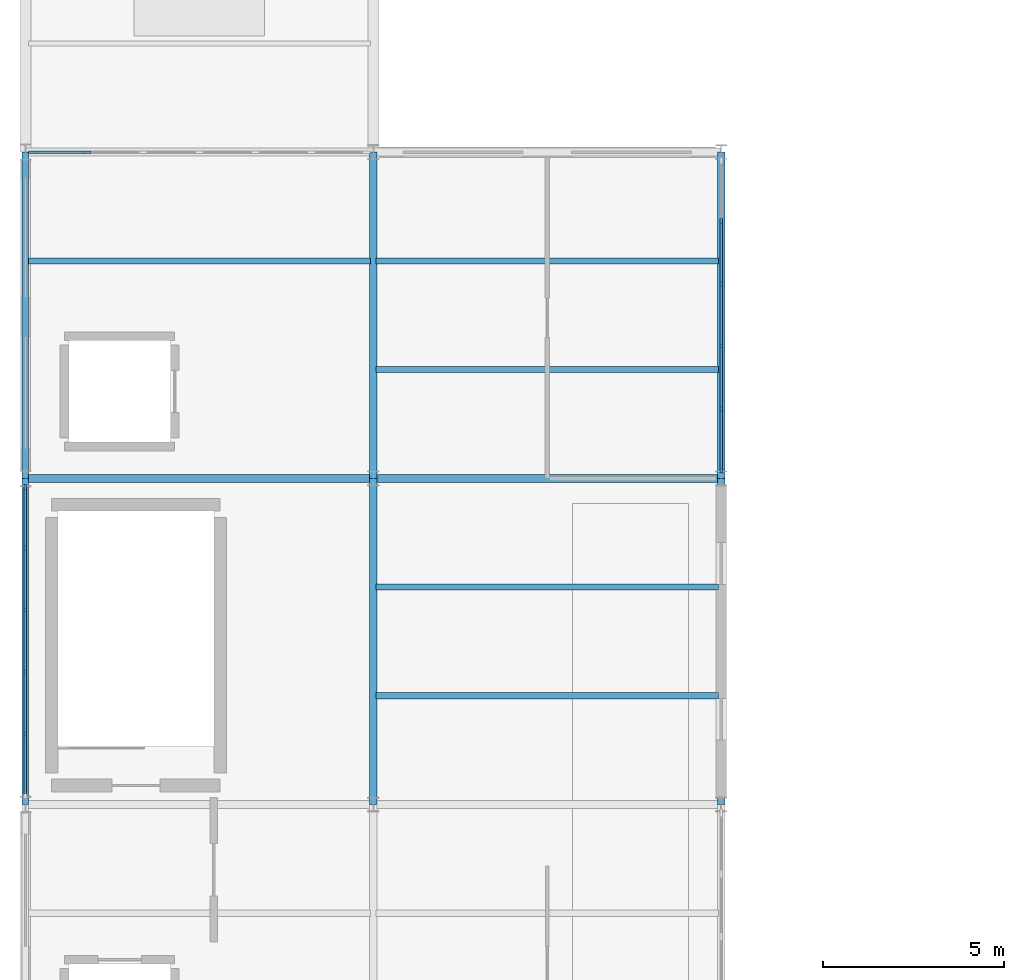
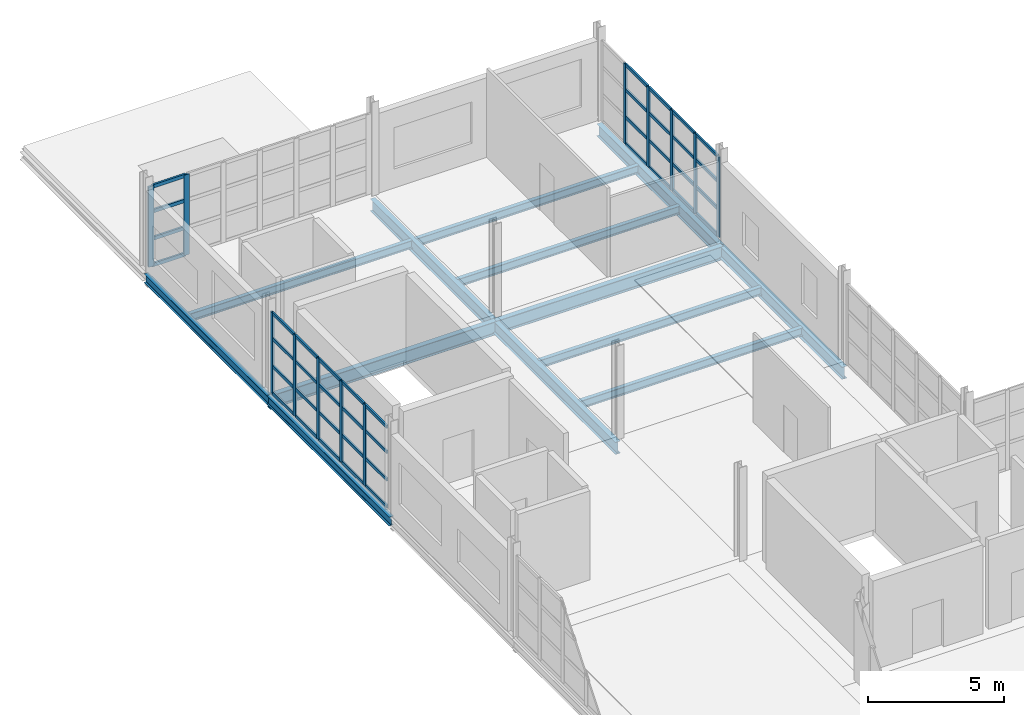
# One storey, part 8 of 15: 52 members, 13 beams, 3 elements without a shape of their own.
"""IFC4 building model written with IfcOpenShell, lengths in metres."""

from ifc_helpers import new_model, si_unit, direction, frame, origin, origin_2d, place, context, subcontext, project, spatial, rectangle, i_section, extrude, material, layer, layer_set, material_profile, profile_set, type_object, element, aggregate, save


model = new_model("IFC4")

# Units and contexts
model_context = context("Model", 3, precision=1e-05, world=origin(), true_north=direction((0.0, 1.0)))
body_context = subcontext(model_context, "Body", "Model", "MODEL_VIEW")
ifc_project = project(units=[si_unit("LENGTHUNIT", "METRE"), si_unit("AREAUNIT", "SQUARE_METRE"), si_unit("VOLUMEUNIT", "CUBIC_METRE"), si_unit("PLANEANGLEUNIT", "RADIAN"), si_unit("MASSUNIT", "GRAM", prefix="KILO")], contexts=[model_context])

# Site, building, storey
site_placement = place(None, origin())
site = spatial("IfcSite", under=ifc_project, at=site_placement, CompositionType="ELEMENT")
building_placement = place(site_placement, origin())
building = spatial("IfcBuilding", under=site, at=building_placement, Name="Zarnetskaya Central Station", CompositionType="ELEMENT")
storey_placement = place(building_placement, frame((0.0, 0.0, 22.800048828125)))
storey = spatial("IfcBuildingStorey", under=building, at=storey_placement, Name="L05", CompositionType="ELEMENT", Elevation=22.800048828125)

# Beams
ifc_material_1 = material(Name="Steel S355", Category="steel")
ifc_material_profile_1 = material_profile(ifc_material_1, i_section(OverallWidth=0.169921875, OverallDepth=0.360107421875, WebThickness=0.008056640625, FlangeThickness=0.0126953125, FilletRadius=0.01806640625, at=origin_2d()), Name="IPE 360")
ifc_profile_set_1 = profile_set([ifc_material_profile_1], Name="Steel S355")
beam_type_1 = type_object("IfcBeamType", Name="BM-SEC-360", PredefinedType="BEAM", material=ifc_profile_set_1)
beam_1_placement = place(storey_placement, frame((0.080078125, 46.199951171875, -0.420166015625), z_axis=(1.0, 0.0, 0.0), x_axis=(0.0, 1.0, 0.0)))
element("IfcBeam", 1, at=beam_1_placement, inside=storey, type_object=beam_type_1, Name="Secondary floor beam SEC-L05-Z2256-AB-67-2", PredefinedType="BEAM", context=body_context, shape_type="SweptSolid", body=[
    extrude(i_section(OverallWidth=0.169921875, OverallDepth=0.360107421875, WebThickness=0.008056640625, FlangeThickness=0.0126953125, FilletRadius=0.01806640625, at=origin_2d()), origin(), (0.0, 0.0, 1.0), 9.43994140625),
])
for number, where, z_axis, x_axis, name in (
    (2, (9.679931640625, 34.199951171875, -0.420166015625), (1.0, 0.0, 0.0), (0.0, 1.0, 0.0), "Secondary floor beam SEC-L05-Z2256-BC-56-1"),
    (3, (9.679931640625, 37.199951171875, -0.420166015625), (1.0, 0.0, 0.0), (0.0, 1.0, 0.0), "Secondary floor beam SEC-L05-Z2256-BC-56-2"),
    (4, (9.679931640625, 43.199951171875, -0.420166015625), (1.0, 0.0, 0.0), (0.0, 1.0, 0.0), "Secondary floor beam SEC-L05-Z2256-BC-67-1"),
    (5, (9.679931640625, 46.199951171875, -0.420166015625), (1.0, 0.0, 0.0), (0.0, 1.0, 0.0), "Secondary floor beam SEC-L05-Z2256-BC-67-2"),
):
    element("IfcBeam", number, at=place(storey_placement, frame(where, z_axis=z_axis, x_axis=x_axis)), inside=storey, type_object=beam_type_1, Name=name, PredefinedType="BEAM", context=body_context, shape_type="SweptSolid", body=[
        extrude(i_section(OverallWidth=0.169921875, OverallDepth=0.360107421875, WebThickness=0.008056640625, FlangeThickness=0.0126953125, FilletRadius=0.01806640625, at=origin_2d()), origin(), (0.0, 0.0, 1.0), 9.440185546875),
    ])
ifc_material_profile_2 = material_profile(ifc_material_1, i_section(OverallWidth=0.179931640625, OverallDepth=0.39990234375, WebThickness=0.008544921875, FlangeThickness=0.013427734375, FilletRadius=0.02099609375, at=origin_2d()), Name="IPE 400")
ifc_profile_set_2 = profile_set([ifc_material_profile_2], Name="Steel S355")
beam_type_2 = type_object("IfcBeamType", Name="BM-SPN-V5", PredefinedType="SPANDREL", material=ifc_profile_set_2)
for number, where, z_axis, x_axis, name in (
    (6, (0.0, 31.199951171875, -0.43994140625), (0.0, 1.0, 0.0), (-1.0, 0.0, 0.0), "Grid girder GY-L05-A-56"),
    (7, (0.0, 40.199951171875, -0.43994140625), (0.0, 1.0, 0.0), (-1.0, 0.0, 0.0), "Grid girder GY-L05-A-67"),
):
    element("IfcBeam", number, at=place(storey_placement, frame(where, z_axis=z_axis, x_axis=x_axis)), inside=storey, type_object=beam_type_2, Name=name, PredefinedType="SPANDREL", context=body_context, shape_type="SweptSolid", body=[
        extrude(i_section(OverallWidth=0.179931640625, OverallDepth=0.39990234375, WebThickness=0.008544921875, FlangeThickness=0.013427734375, FilletRadius=0.02099609375, at=origin_2d()), origin(), (0.0, 0.0, 1.0), 9.0),
    ])

# Curtain wall, members
ifc_material_2 = material(Name="Low-E insulated glass", Category="glass")
ifc_layer_1 = layer(ifc_material_2, 0.159912109375, Name="Low-E insulated glass", Category="glass")
ifc_layer_set_1 = layer_set([ifc_layer_1], Name="Low-E insulated glass")
curtain_wall_type_1 = type_object("IfcCurtainWallType", Name="CW-SYS-11", PredefinedType="USERDEFINED", material=ifc_layer_set_1)
curtain_wall_1_placement = place(storey_placement, origin())
curtain_wall_1 = element("IfcCurtainWall", 8, at=curtain_wall_1_placement, inside=storey, type_object=curtain_wall_type_1, Name="Curtain wall CW-L05-065", ObjectType="CURTAIN WALL", PredefinedType="USERDEFINED")
ifc_material_3 = material(Name="Anodised aluminium", Category="aluminium")
ifc_material_profile_3 = material_profile(ifc_material_3, rectangle(XDim=0.070068359375, YDim=0.179931640625, at=origin_2d()), Name="ALU MULL 70x180")
ifc_profile_set_3 = profile_set([ifc_material_profile_3], Name="Anodised aluminium")
member_type_1 = type_object("IfcMemberType", Name="CW-MULL-180", PredefinedType="MULLION", material=ifc_profile_set_3)
member_1_placement = place(storey_placement, frame((0.0, 33.135009765625, 0.0), z_axis=(0.0, 0.0, 1.0), x_axis=(-1.0, 0.0, 0.0)))
member_1 = element("IfcMember", 9, at=member_1_placement, type_object=member_type_1, Name="CW-09 mullion 2", PredefinedType="MULLION", context=body_context, shape_type="SweptSolid", body=[
    extrude(rectangle(XDim=0.070068359375, YDim=0.179931640625, at=origin_2d()), origin(), (0.0, 0.0, 1.0), 3.639892578125),
])
member_2_placement = place(storey_placement, frame((0.0, 34.844970703125, 0.0), z_axis=(0.0, 0.0, 1.0), x_axis=(-1.0, 0.0, 0.0)))
member_2 = element("IfcMember", 10, at=member_2_placement, type_object=member_type_1, Name="CW-09 mullion 3", PredefinedType="MULLION", context=body_context, shape_type="SweptSolid", body=[
    extrude(rectangle(XDim=0.070068359375, YDim=0.179931640625, at=origin_2d()), origin(), (0.0, 0.0, 1.0), 3.639892578125),
])
member_3_placement = place(storey_placement, frame((0.0, 36.554931640625, 0.0), z_axis=(0.0, 0.0, 1.0), x_axis=(-1.0, 0.0, 0.0)))
member_3 = element("IfcMember", 11, at=member_3_placement, type_object=member_type_1, Name="CW-09 mullion 4", PredefinedType="MULLION", context=body_context, shape_type="SweptSolid", body=[
    extrude(rectangle(XDim=0.070068359375, YDim=0.179931640625, at=origin_2d()), origin(), (0.0, 0.0, 1.0), 3.639892578125),
])
member_4_placement = place(storey_placement, frame((0.0, 38.264892578125, 0.0), z_axis=(0.0, 0.0, 1.0), x_axis=(-1.0, 0.0, 0.0)))
member_4 = element("IfcMember", 12, at=member_4_placement, type_object=member_type_1, Name="CW-09 mullion 5", PredefinedType="MULLION", context=body_context, shape_type="SweptSolid", body=[
    extrude(rectangle(XDim=0.070068359375, YDim=0.179931640625, at=origin_2d()), origin(), (0.0, 0.0, 1.0), 3.639892578125),
])
member_5_placement = place(storey_placement, frame((0.0, 39.93994140625, 0.0), z_axis=(0.0, 0.0, 1.0), x_axis=(-1.0, 0.0, 0.0)))
member_5 = element("IfcMember", 13, at=member_5_placement, type_object=member_type_1, Name="CW-09 mullion 6", PredefinedType="MULLION", context=body_context, shape_type="SweptSolid", body=[
    extrude(rectangle(XDim=0.070068359375, YDim=0.179931640625, at=origin_2d()), origin(), (0.0, 0.0, 1.0), 3.639892578125),
])

ifc_layer_2 = layer(ifc_material_2, 0.1640625, Name="Low-E insulated glass", Category="glass")
ifc_layer_set_2 = layer_set([ifc_layer_2], Name="Low-E insulated glass")
curtain_wall_type_2 = type_object("IfcCurtainWallType", Name="CW-SYS-07", PredefinedType="USERDEFINED", material=ifc_layer_set_2)
curtain_wall_2_placement = place(storey_placement, origin())
curtain_wall_2 = element("IfcCurtainWall", 14, at=curtain_wall_2_placement, inside=storey, type_object=curtain_wall_type_2, Name="Curtain wall CW-L05-067", ObjectType="CURTAIN WALL", PredefinedType="USERDEFINED")
member_6_placement = place(storey_placement, frame((19.199951171875, 47.280029296875, 0.0), z_axis=(0.0, 0.0, 1.0), x_axis=(1.0, 0.0, 0.0)))
member_6 = element("IfcMember", 15, at=member_6_placement, type_object=member_type_1, Name="CW-06 mullion 2", PredefinedType="MULLION", context=body_context, shape_type="SweptSolid", body=[
    extrude(rectangle(XDim=0.070068359375, YDim=0.179931640625, at=origin_2d()), origin(), (0.0, 0.0, 1.0), 3.599853515625),
])
member_7_placement = place(storey_placement, frame((19.199951171875, 45.56005859375, 0.0), z_axis=(0.0, 0.0, 1.0), x_axis=(1.0, 0.0, 0.0)))
member_7 = element("IfcMember", 16, at=member_7_placement, type_object=member_type_1, Name="CW-06 mullion 3", PredefinedType="MULLION", context=body_context, shape_type="SweptSolid", body=[
    extrude(rectangle(XDim=0.070068359375, YDim=0.179931640625, at=origin_2d()), origin(), (0.0, 0.0, 1.0), 3.599853515625),
])
member_8_placement = place(storey_placement, frame((19.199951171875, 43.840087890625, 0.0), z_axis=(0.0, 0.0, 1.0), x_axis=(1.0, 0.0, 0.0)))
member_8 = element("IfcMember", 17, at=member_8_placement, type_object=member_type_1, Name="CW-06 mullion 4", PredefinedType="MULLION", context=body_context, shape_type="SweptSolid", body=[
    extrude(rectangle(XDim=0.070068359375, YDim=0.179931640625, at=origin_2d()), origin(), (0.0, 0.0, 1.0), 3.599853515625),
])
member_9_placement = place(storey_placement, frame((19.199951171875, 42.1201171875, 0.0), z_axis=(0.0, 0.0, 1.0), x_axis=(1.0, 0.0, 0.0)))
member_9 = element("IfcMember", 18, at=member_9_placement, type_object=member_type_1, Name="CW-06 mullion 5", PredefinedType="MULLION", context=body_context, shape_type="SweptSolid", body=[
    extrude(rectangle(XDim=0.070068359375, YDim=0.179931640625, at=origin_2d()), origin(), (0.0, 0.0, 1.0), 3.599853515625),
])
member_10_placement = place(storey_placement, frame((19.199951171875, 40.43505859375, 0.0), z_axis=(0.0, 0.0, 1.0), x_axis=(1.0, 0.0, 0.0)))
member_10 = element("IfcMember", 19, at=member_10_placement, type_object=member_type_1, Name="CW-06 mullion 6", PredefinedType="MULLION", context=body_context, shape_type="SweptSolid", body=[
    extrude(rectangle(XDim=0.070068359375, YDim=0.179931640625, at=origin_2d()), origin(), (0.0, 0.0, 1.0), 3.599853515625),
])

curtain_wall_3_placement = place(storey_placement, origin())
curtain_wall_3 = element("IfcCurtainWall", 20, at=curtain_wall_3_placement, inside=storey, type_object=curtain_wall_type_2, Name="Curtain wall CW-L05-066", ObjectType="CURTAIN WALL", PredefinedType="USERDEFINED")
ifc_material_profile_4 = material_profile(ifc_material_3, rectangle(XDim=0.080078125, YDim=0.219970703125, at=origin_2d()), Name="ALU MULL 80x220")
ifc_profile_set_4 = profile_set([ifc_material_profile_4], Name="Anodised aluminium")
member_type_2 = type_object("IfcMemberType", Name="CW-MULL-220", PredefinedType="MULLION", material=ifc_profile_set_4)
member_11_placement = place(storey_placement, frame((0.18994140625, 49.199951171875, 0.0), z_axis=(0.0, 0.0, 1.0), x_axis=(0.0, 1.0, 0.0)))
member_11 = element("IfcMember", 21, at=member_11_placement, type_object=member_type_2, Name="CW-06 mullion 1", PredefinedType="MULLION", context=body_context, shape_type="SweptSolid", body=[
    extrude(rectangle(XDim=0.080078125, YDim=0.219970703125, at=origin_2d()), origin(), (0.0, 0.0, 1.0), 3.599853515625),
])
member_12_placement = place(storey_placement, frame((1.699951171875, 49.199951171875, 0.0), z_axis=(0.0, 0.0, 1.0), x_axis=(0.0, 1.0, 0.0)))
member_12 = element("IfcMember", 22, at=member_12_placement, type_object=member_type_2, Name="CW-06 mullion 2", PredefinedType="MULLION", context=body_context, shape_type="SweptSolid", body=[
    extrude(rectangle(XDim=0.080078125, YDim=0.219970703125, at=origin_2d()), origin(), (0.0, 0.0, 1.0), 3.599853515625),
])

# Member
ifc_material_profile_5 = material_profile(ifc_material_3, rectangle(XDim=0.070068359375, YDim=0.139892578125, at=origin_2d()), Name="ALU TRAN 70x140")
ifc_profile_set_5 = profile_set([ifc_material_profile_5], Name="Anodised aluminium")
member_type_3 = type_object("IfcMemberType", Name="CW-TRAN-140", PredefinedType="USERDEFINED", material=ifc_profile_set_5)
member_13_placement = place(storey_placement, frame((0.0, 31.4951171875, 0.034912109375), z_axis=(0.0, 1.0, 0.0), x_axis=(-1.0, 0.0, 0.0)))
member_13 = element("IfcMember", 23, at=member_13_placement, type_object=member_type_3, Name="CW-09 transom 1.1", ObjectType="TRANSOM", PredefinedType="USERDEFINED", context=body_context, shape_type="SweptSolid", body=[
    extrude(rectangle(XDim=0.070068359375, YDim=0.139892578125, at=origin_2d()), origin(), (0.0, 0.0, 1.0), 1.60498046875),
])

member_14_placement = place(storey_placement, frame((0.0, 31.4951171875, 1.238037109375), z_axis=(0.0, 1.0, 0.0), x_axis=(-1.0, 0.0, 0.0)))
member_14 = element("IfcMember", 24, at=member_14_placement, type_object=member_type_3, Name="CW-09 transom 1.2", ObjectType="TRANSOM", PredefinedType="USERDEFINED", context=body_context, shape_type="SweptSolid", body=[
    extrude(rectangle(XDim=0.070068359375, YDim=0.139892578125, at=origin_2d()), origin(), (0.0, 0.0, 1.0), 1.60498046875),
])

member_15_placement = place(storey_placement, frame((0.0, 31.4951171875, 2.474853515625), z_axis=(0.0, 1.0, 0.0), x_axis=(-1.0, 0.0, 0.0)))
member_15 = element("IfcMember", 25, at=member_15_placement, type_object=member_type_3, Name="CW-09 transom 1.3", ObjectType="TRANSOM", PredefinedType="USERDEFINED", context=body_context, shape_type="SweptSolid", body=[
    extrude(rectangle(XDim=0.070068359375, YDim=0.139892578125, at=origin_2d()), origin(), (0.0, 0.0, 1.0), 1.60498046875),
])

member_16_placement = place(storey_placement, frame((0.0, 31.4951171875, 3.60498046875), z_axis=(0.0, 1.0, 0.0), x_axis=(-1.0, 0.0, 0.0)))
member_16 = element("IfcMember", 26, at=member_16_placement, type_object=member_type_3, Name="CW-09 transom 1.4", ObjectType="TRANSOM", PredefinedType="USERDEFINED", context=body_context, shape_type="SweptSolid", body=[
    extrude(rectangle(XDim=0.070068359375, YDim=0.139892578125, at=origin_2d()), origin(), (0.0, 0.0, 1.0), 1.60498046875),
])

member_17_placement = place(storey_placement, frame((0.0, 33.169921875, 0.034912109375), z_axis=(0.0, 1.0, 0.0), x_axis=(-1.0, 0.0, 0.0)))
member_17 = element("IfcMember", 27, at=member_17_placement, type_object=member_type_3, Name="CW-09 transom 2.1", ObjectType="TRANSOM", PredefinedType="USERDEFINED", context=body_context, shape_type="SweptSolid", body=[
    extrude(rectangle(XDim=0.070068359375, YDim=0.139892578125, at=origin_2d()), origin(), (0.0, 0.0, 1.0), 1.64013671875),
])

member_18_placement = place(storey_placement, frame((0.0, 33.169921875, 1.238037109375), z_axis=(0.0, 1.0, 0.0), x_axis=(-1.0, 0.0, 0.0)))
member_18 = element("IfcMember", 28, at=member_18_placement, type_object=member_type_3, Name="CW-09 transom 2.2", ObjectType="TRANSOM", PredefinedType="USERDEFINED", context=body_context, shape_type="SweptSolid", body=[
    extrude(rectangle(XDim=0.070068359375, YDim=0.139892578125, at=origin_2d()), origin(), (0.0, 0.0, 1.0), 1.64013671875),
])

member_19_placement = place(storey_placement, frame((0.0, 33.169921875, 2.474853515625), z_axis=(0.0, 1.0, 0.0), x_axis=(-1.0, 0.0, 0.0)))
member_19 = element("IfcMember", 29, at=member_19_placement, type_object=member_type_3, Name="CW-09 transom 2.3", ObjectType="TRANSOM", PredefinedType="USERDEFINED", context=body_context, shape_type="SweptSolid", body=[
    extrude(rectangle(XDim=0.070068359375, YDim=0.139892578125, at=origin_2d()), origin(), (0.0, 0.0, 1.0), 1.64013671875),
])

member_20_placement = place(storey_placement, frame((0.0, 33.169921875, 3.60498046875), z_axis=(0.0, 1.0, 0.0), x_axis=(-1.0, 0.0, 0.0)))
member_20 = element("IfcMember", 30, at=member_20_placement, type_object=member_type_3, Name="CW-09 transom 2.4", ObjectType="TRANSOM", PredefinedType="USERDEFINED", context=body_context, shape_type="SweptSolid", body=[
    extrude(rectangle(XDim=0.070068359375, YDim=0.139892578125, at=origin_2d()), origin(), (0.0, 0.0, 1.0), 1.64013671875),
])

member_21_placement = place(storey_placement, frame((0.0, 34.8798828125, 0.034912109375), z_axis=(0.0, 1.0, 0.0), x_axis=(-1.0, 0.0, 0.0)))
member_21 = element("IfcMember", 31, at=member_21_placement, type_object=member_type_3, Name="CW-09 transom 3.1", ObjectType="TRANSOM", PredefinedType="USERDEFINED", context=body_context, shape_type="SweptSolid", body=[
    extrude(rectangle(XDim=0.070068359375, YDim=0.139892578125, at=origin_2d()), origin(), (0.0, 0.0, 1.0), 1.64013671875),
])

member_22_placement = place(storey_placement, frame((0.0, 34.8798828125, 1.238037109375), z_axis=(0.0, 1.0, 0.0), x_axis=(-1.0, 0.0, 0.0)))
member_22 = element("IfcMember", 32, at=member_22_placement, type_object=member_type_3, Name="CW-09 transom 3.2", ObjectType="TRANSOM", PredefinedType="USERDEFINED", context=body_context, shape_type="SweptSolid", body=[
    extrude(rectangle(XDim=0.070068359375, YDim=0.139892578125, at=origin_2d()), origin(), (0.0, 0.0, 1.0), 1.64013671875),
])

member_23_placement = place(storey_placement, frame((0.0, 34.8798828125, 2.474853515625), z_axis=(0.0, 1.0, 0.0), x_axis=(-1.0, 0.0, 0.0)))
member_23 = element("IfcMember", 33, at=member_23_placement, type_object=member_type_3, Name="CW-09 transom 3.3", ObjectType="TRANSOM", PredefinedType="USERDEFINED", context=body_context, shape_type="SweptSolid", body=[
    extrude(rectangle(XDim=0.070068359375, YDim=0.139892578125, at=origin_2d()), origin(), (0.0, 0.0, 1.0), 1.64013671875),
])

member_24_placement = place(storey_placement, frame((0.0, 34.8798828125, 3.60498046875), z_axis=(0.0, 1.0, 0.0), x_axis=(-1.0, 0.0, 0.0)))
member_24 = element("IfcMember", 34, at=member_24_placement, type_object=member_type_3, Name="CW-09 transom 3.4", ObjectType="TRANSOM", PredefinedType="USERDEFINED", context=body_context, shape_type="SweptSolid", body=[
    extrude(rectangle(XDim=0.070068359375, YDim=0.139892578125, at=origin_2d()), origin(), (0.0, 0.0, 1.0), 1.64013671875),
])

member_25_placement = place(storey_placement, frame((0.0, 36.590087890625, 0.034912109375), z_axis=(0.0, 1.0, 0.0), x_axis=(-1.0, 0.0, 0.0)))
member_25 = element("IfcMember", 35, at=member_25_placement, type_object=member_type_3, Name="CW-09 transom 4.1", ObjectType="TRANSOM", PredefinedType="USERDEFINED", context=body_context, shape_type="SweptSolid", body=[
    extrude(rectangle(XDim=0.070068359375, YDim=0.139892578125, at=origin_2d()), origin(), (0.0, 0.0, 1.0), 1.639892578125),
])

member_26_placement = place(storey_placement, frame((0.0, 36.590087890625, 1.238037109375), z_axis=(0.0, 1.0, 0.0), x_axis=(-1.0, 0.0, 0.0)))
member_26 = element("IfcMember", 36, at=member_26_placement, type_object=member_type_3, Name="CW-09 transom 4.2", ObjectType="TRANSOM", PredefinedType="USERDEFINED", context=body_context, shape_type="SweptSolid", body=[
    extrude(rectangle(XDim=0.070068359375, YDim=0.139892578125, at=origin_2d()), origin(), (0.0, 0.0, 1.0), 1.639892578125),
])

member_27_placement = place(storey_placement, frame((0.0, 36.590087890625, 2.474853515625), z_axis=(0.0, 1.0, 0.0), x_axis=(-1.0, 0.0, 0.0)))
member_27 = element("IfcMember", 37, at=member_27_placement, type_object=member_type_3, Name="CW-09 transom 4.3", ObjectType="TRANSOM", PredefinedType="USERDEFINED", context=body_context, shape_type="SweptSolid", body=[
    extrude(rectangle(XDim=0.070068359375, YDim=0.139892578125, at=origin_2d()), origin(), (0.0, 0.0, 1.0), 1.639892578125),
])

member_28_placement = place(storey_placement, frame((0.0, 36.590087890625, 3.60498046875), z_axis=(0.0, 1.0, 0.0), x_axis=(-1.0, 0.0, 0.0)))
member_28 = element("IfcMember", 38, at=member_28_placement, type_object=member_type_3, Name="CW-09 transom 4.4", ObjectType="TRANSOM", PredefinedType="USERDEFINED", context=body_context, shape_type="SweptSolid", body=[
    extrude(rectangle(XDim=0.070068359375, YDim=0.139892578125, at=origin_2d()), origin(), (0.0, 0.0, 1.0), 1.639892578125),
])

member_29_placement = place(storey_placement, frame((0.0, 38.300048828125, 0.034912109375), z_axis=(0.0, 1.0, 0.0), x_axis=(-1.0, 0.0, 0.0)))
member_29 = element("IfcMember", 39, at=member_29_placement, type_object=member_type_3, Name="CW-09 transom 5.1", ObjectType="TRANSOM", PredefinedType="USERDEFINED", context=body_context, shape_type="SweptSolid", body=[
    extrude(rectangle(XDim=0.070068359375, YDim=0.139892578125, at=origin_2d()), origin(), (0.0, 0.0, 1.0), 1.60498046875),
])

member_30_placement = place(storey_placement, frame((0.0, 38.300048828125, 1.238037109375), z_axis=(0.0, 1.0, 0.0), x_axis=(-1.0, 0.0, 0.0)))
member_30 = element("IfcMember", 40, at=member_30_placement, type_object=member_type_3, Name="CW-09 transom 5.2", ObjectType="TRANSOM", PredefinedType="USERDEFINED", context=body_context, shape_type="SweptSolid", body=[
    extrude(rectangle(XDim=0.070068359375, YDim=0.139892578125, at=origin_2d()), origin(), (0.0, 0.0, 1.0), 1.60498046875),
])

member_31_placement = place(storey_placement, frame((0.0, 38.300048828125, 2.474853515625), z_axis=(0.0, 1.0, 0.0), x_axis=(-1.0, 0.0, 0.0)))
member_31 = element("IfcMember", 41, at=member_31_placement, type_object=member_type_3, Name="CW-09 transom 5.3", ObjectType="TRANSOM", PredefinedType="USERDEFINED", context=body_context, shape_type="SweptSolid", body=[
    extrude(rectangle(XDim=0.070068359375, YDim=0.139892578125, at=origin_2d()), origin(), (0.0, 0.0, 1.0), 1.60498046875),
])

member_32_placement = place(storey_placement, frame((0.0, 38.300048828125, 3.60498046875), z_axis=(0.0, 1.0, 0.0), x_axis=(-1.0, 0.0, 0.0)))
member_32 = element("IfcMember", 42, at=member_32_placement, type_object=member_type_3, Name="CW-09 transom 5.4", ObjectType="TRANSOM", PredefinedType="USERDEFINED", context=body_context, shape_type="SweptSolid", body=[
    extrude(rectangle(XDim=0.070068359375, YDim=0.139892578125, at=origin_2d()), origin(), (0.0, 0.0, 1.0), 1.60498046875),
])

aggregate(curtain_wall_1, [member_1, member_2, member_3, member_4, member_5, member_13, member_14, member_15, member_16, member_17, member_18, member_19, member_20, member_21, member_22, member_23, member_24, member_25, member_26, member_27, member_28, member_29, member_30, member_31, member_32])

member_33_placement = place(storey_placement, frame((19.199951171875, 47.2451171875, 0.034912109375), z_axis=(0.0, -1.0, 0.0), x_axis=(1.0, 0.0, 0.0)))
member_33 = element("IfcMember", 43, at=member_33_placement, type_object=member_type_3, Name="CW-06 transom 2.1", ObjectType="TRANSOM", PredefinedType="USERDEFINED", context=body_context, shape_type="SweptSolid", body=[
    extrude(rectangle(XDim=0.070068359375, YDim=0.139892578125, at=origin_2d()), origin(), (0.0, 0.0, 1.0), 1.650146484375),
])

member_34_placement = place(storey_placement, frame((19.199951171875, 47.2451171875, 1.223876953125), z_axis=(0.0, -1.0, 0.0), x_axis=(1.0, 0.0, 0.0)))
member_34 = element("IfcMember", 44, at=member_34_placement, type_object=member_type_3, Name="CW-06 transom 2.2", ObjectType="TRANSOM", PredefinedType="USERDEFINED", context=body_context, shape_type="SweptSolid", body=[
    extrude(rectangle(XDim=0.070068359375, YDim=0.139892578125, at=origin_2d()), origin(), (0.0, 0.0, 1.0), 1.650146484375),
])

member_35_placement = place(storey_placement, frame((19.199951171875, 47.2451171875, 2.447998046875), z_axis=(0.0, -1.0, 0.0), x_axis=(1.0, 0.0, 0.0)))
member_35 = element("IfcMember", 45, at=member_35_placement, type_object=member_type_3, Name="CW-06 transom 2.3", ObjectType="TRANSOM", PredefinedType="USERDEFINED", context=body_context, shape_type="SweptSolid", body=[
    extrude(rectangle(XDim=0.070068359375, YDim=0.139892578125, at=origin_2d()), origin(), (0.0, 0.0, 1.0), 1.650146484375),
])

member_36_placement = place(storey_placement, frame((19.199951171875, 47.2451171875, 3.56494140625), z_axis=(0.0, -1.0, 0.0), x_axis=(1.0, 0.0, 0.0)))
member_36 = element("IfcMember", 46, at=member_36_placement, type_object=member_type_3, Name="CW-06 transom 2.4", ObjectType="TRANSOM", PredefinedType="USERDEFINED", context=body_context, shape_type="SweptSolid", body=[
    extrude(rectangle(XDim=0.070068359375, YDim=0.139892578125, at=origin_2d()), origin(), (0.0, 0.0, 1.0), 1.650146484375),
])

member_37_placement = place(storey_placement, frame((19.199951171875, 45.52490234375, 0.034912109375), z_axis=(0.0, -1.0, 0.0), x_axis=(1.0, 0.0, 0.0)))
member_37 = element("IfcMember", 47, at=member_37_placement, type_object=member_type_3, Name="CW-06 transom 3.1", ObjectType="TRANSOM", PredefinedType="USERDEFINED", context=body_context, shape_type="SweptSolid", body=[
    extrude(rectangle(XDim=0.070068359375, YDim=0.139892578125, at=origin_2d()), origin(), (0.0, 0.0, 1.0), 1.64990234375),
])

member_38_placement = place(storey_placement, frame((19.199951171875, 45.52490234375, 1.223876953125), z_axis=(0.0, -1.0, 0.0), x_axis=(1.0, 0.0, 0.0)))
member_38 = element("IfcMember", 48, at=member_38_placement, type_object=member_type_3, Name="CW-06 transom 3.2", ObjectType="TRANSOM", PredefinedType="USERDEFINED", context=body_context, shape_type="SweptSolid", body=[
    extrude(rectangle(XDim=0.070068359375, YDim=0.139892578125, at=origin_2d()), origin(), (0.0, 0.0, 1.0), 1.64990234375),
])

member_39_placement = place(storey_placement, frame((19.199951171875, 45.52490234375, 2.447998046875), z_axis=(0.0, -1.0, 0.0), x_axis=(1.0, 0.0, 0.0)))
member_39 = element("IfcMember", 49, at=member_39_placement, type_object=member_type_3, Name="CW-06 transom 3.3", ObjectType="TRANSOM", PredefinedType="USERDEFINED", context=body_context, shape_type="SweptSolid", body=[
    extrude(rectangle(XDim=0.070068359375, YDim=0.139892578125, at=origin_2d()), origin(), (0.0, 0.0, 1.0), 1.64990234375),
])

member_40_placement = place(storey_placement, frame((19.199951171875, 45.52490234375, 3.56494140625), z_axis=(0.0, -1.0, 0.0), x_axis=(1.0, 0.0, 0.0)))
member_40 = element("IfcMember", 50, at=member_40_placement, type_object=member_type_3, Name="CW-06 transom 3.4", ObjectType="TRANSOM", PredefinedType="USERDEFINED", context=body_context, shape_type="SweptSolid", body=[
    extrude(rectangle(XDim=0.070068359375, YDim=0.139892578125, at=origin_2d()), origin(), (0.0, 0.0, 1.0), 1.64990234375),
])

member_41_placement = place(storey_placement, frame((19.199951171875, 43.804931640625, 0.034912109375), z_axis=(0.0, -1.0, 0.0), x_axis=(1.0, 0.0, 0.0)))
member_41 = element("IfcMember", 51, at=member_41_placement, type_object=member_type_3, Name="CW-06 transom 4.1", ObjectType="TRANSOM", PredefinedType="USERDEFINED", context=body_context, shape_type="SweptSolid", body=[
    extrude(rectangle(XDim=0.070068359375, YDim=0.139892578125, at=origin_2d()), origin(), (0.0, 0.0, 1.0), 1.64990234375),
])

member_42_placement = place(storey_placement, frame((19.199951171875, 43.804931640625, 1.223876953125), z_axis=(0.0, -1.0, 0.0), x_axis=(1.0, 0.0, 0.0)))
member_42 = element("IfcMember", 52, at=member_42_placement, type_object=member_type_3, Name="CW-06 transom 4.2", ObjectType="TRANSOM", PredefinedType="USERDEFINED", context=body_context, shape_type="SweptSolid", body=[
    extrude(rectangle(XDim=0.070068359375, YDim=0.139892578125, at=origin_2d()), origin(), (0.0, 0.0, 1.0), 1.64990234375),
])

member_43_placement = place(storey_placement, frame((19.199951171875, 43.804931640625, 2.447998046875), z_axis=(0.0, -1.0, 0.0), x_axis=(1.0, 0.0, 0.0)))
member_43 = element("IfcMember", 53, at=member_43_placement, type_object=member_type_3, Name="CW-06 transom 4.3", ObjectType="TRANSOM", PredefinedType="USERDEFINED", context=body_context, shape_type="SweptSolid", body=[
    extrude(rectangle(XDim=0.070068359375, YDim=0.139892578125, at=origin_2d()), origin(), (0.0, 0.0, 1.0), 1.64990234375),
])

member_44_placement = place(storey_placement, frame((19.199951171875, 43.804931640625, 3.56494140625), z_axis=(0.0, -1.0, 0.0), x_axis=(1.0, 0.0, 0.0)))
member_44 = element("IfcMember", 54, at=member_44_placement, type_object=member_type_3, Name="CW-06 transom 4.4", ObjectType="TRANSOM", PredefinedType="USERDEFINED", context=body_context, shape_type="SweptSolid", body=[
    extrude(rectangle(XDim=0.070068359375, YDim=0.139892578125, at=origin_2d()), origin(), (0.0, 0.0, 1.0), 1.64990234375),
])

member_45_placement = place(storey_placement, frame((19.199951171875, 42.0849609375, 0.034912109375), z_axis=(0.0, -1.0, 0.0), x_axis=(1.0, 0.0, 0.0)))
member_45 = element("IfcMember", 55, at=member_45_placement, type_object=member_type_3, Name="CW-06 transom 5.1", ObjectType="TRANSOM", PredefinedType="USERDEFINED", context=body_context, shape_type="SweptSolid", body=[
    extrude(rectangle(XDim=0.070068359375, YDim=0.139892578125, at=origin_2d()), origin(), (0.0, 0.0, 1.0), 1.614990234375),
])

member_46_placement = place(storey_placement, frame((19.199951171875, 42.0849609375, 1.223876953125), z_axis=(0.0, -1.0, 0.0), x_axis=(1.0, 0.0, 0.0)))
member_46 = element("IfcMember", 56, at=member_46_placement, type_object=member_type_3, Name="CW-06 transom 5.2", ObjectType="TRANSOM", PredefinedType="USERDEFINED", context=body_context, shape_type="SweptSolid", body=[
    extrude(rectangle(XDim=0.070068359375, YDim=0.139892578125, at=origin_2d()), origin(), (0.0, 0.0, 1.0), 1.614990234375),
])

member_47_placement = place(storey_placement, frame((19.199951171875, 42.0849609375, 2.447998046875), z_axis=(0.0, -1.0, 0.0), x_axis=(1.0, 0.0, 0.0)))
member_47 = element("IfcMember", 57, at=member_47_placement, type_object=member_type_3, Name="CW-06 transom 5.3", ObjectType="TRANSOM", PredefinedType="USERDEFINED", context=body_context, shape_type="SweptSolid", body=[
    extrude(rectangle(XDim=0.070068359375, YDim=0.139892578125, at=origin_2d()), origin(), (0.0, 0.0, 1.0), 1.614990234375),
])

member_48_placement = place(storey_placement, frame((19.199951171875, 42.0849609375, 3.56494140625), z_axis=(0.0, -1.0, 0.0), x_axis=(1.0, 0.0, 0.0)))
member_48 = element("IfcMember", 58, at=member_48_placement, type_object=member_type_3, Name="CW-06 transom 5.4", ObjectType="TRANSOM", PredefinedType="USERDEFINED", context=body_context, shape_type="SweptSolid", body=[
    extrude(rectangle(XDim=0.070068359375, YDim=0.139892578125, at=origin_2d()), origin(), (0.0, 0.0, 1.0), 1.614990234375),
])

aggregate(curtain_wall_2, [member_6, member_7, member_8, member_9, member_10, member_33, member_34, member_35, member_36, member_37, member_38, member_39, member_40, member_41, member_42, member_43, member_44, member_45, member_46, member_47, member_48])

ifc_material_profile_6 = material_profile(ifc_material_3, rectangle(XDim=0.080078125, YDim=0.159912109375, at=origin_2d()), Name="ALU TRAN 80x160")
ifc_profile_set_6 = profile_set([ifc_material_profile_6], Name="Anodised aluminium")
member_type_4 = type_object("IfcMemberType", Name="CW-TRAN-160", PredefinedType="USERDEFINED", material=ifc_profile_set_6)
member_49_placement = place(storey_placement, frame((0.22998046875, 49.199951171875, 0.0400390625), z_axis=(1.0, 0.0, 0.0), x_axis=(0.0, 1.0, 0.0)))
member_49 = element("IfcMember", 59, at=member_49_placement, type_object=member_type_4, Name="CW-06 transom 1.1", ObjectType="TRANSOM", PredefinedType="USERDEFINED", context=body_context, shape_type="SweptSolid", body=[
    extrude(rectangle(XDim=0.080078125, YDim=0.159912109375, at=origin_2d()), origin(), (0.0, 0.0, 1.0), 1.429931640625),
])

member_50_placement = place(storey_placement, frame((0.22998046875, 49.199951171875, 1.223876953125), z_axis=(1.0, 0.0, 0.0), x_axis=(0.0, 1.0, 0.0)))
member_50 = element("IfcMember", 60, at=member_50_placement, type_object=member_type_4, Name="CW-06 transom 1.2", ObjectType="TRANSOM", PredefinedType="USERDEFINED", context=body_context, shape_type="SweptSolid", body=[
    extrude(rectangle(XDim=0.080078125, YDim=0.159912109375, at=origin_2d()), origin(), (0.0, 0.0, 1.0), 1.429931640625),
])

member_51_placement = place(storey_placement, frame((0.22998046875, 49.199951171875, 2.447998046875), z_axis=(1.0, 0.0, 0.0), x_axis=(0.0, 1.0, 0.0)))
member_51 = element("IfcMember", 61, at=member_51_placement, type_object=member_type_4, Name="CW-06 transom 1.3", ObjectType="TRANSOM", PredefinedType="USERDEFINED", context=body_context, shape_type="SweptSolid", body=[
    extrude(rectangle(XDim=0.080078125, YDim=0.159912109375, at=origin_2d()), origin(), (0.0, 0.0, 1.0), 1.429931640625),
])

member_52_placement = place(storey_placement, frame((0.22998046875, 49.199951171875, 3.56005859375), z_axis=(1.0, 0.0, 0.0), x_axis=(0.0, 1.0, 0.0)))
member_52 = element("IfcMember", 62, at=member_52_placement, type_object=member_type_4, Name="CW-06 transom 1.4", ObjectType="TRANSOM", PredefinedType="USERDEFINED", context=body_context, shape_type="SweptSolid", body=[
    extrude(rectangle(XDim=0.080078125, YDim=0.159912109375, at=origin_2d()), origin(), (0.0, 0.0, 1.0), 1.429931640625),
])

aggregate(curtain_wall_3, [member_11, member_12, member_49, member_50, member_51, member_52])

# Beams
ifc_material_profile_7 = material_profile(ifc_material_1, i_section(OverallWidth=0.2099609375, OverallDepth=0.550048828125, WebThickness=0.010986328125, FlangeThickness=0.01708984375, FilletRadius=0.02392578125, at=origin_2d()), Name="IPE 550")
ifc_profile_set_7 = profile_set([ifc_material_profile_7], Name="Steel S355")
beam_type_3 = type_object("IfcBeamType", Name="GD-FLR-550", PredefinedType="USERDEFINED", material=ifc_profile_set_7)
for number, where, z_axis, x_axis, name in (
    (63, (9.60009765625, 31.199951171875, -0.51513671875), (0.0, 1.0, 0.0), (-1.0, 0.0, 0.0), "Grid girder GY-L05-B-56"),
    (64, (9.60009765625, 40.199951171875, -0.51513671875), (0.0, 1.0, 0.0), (-1.0, 0.0, 0.0), "Grid girder GY-L05-B-67"),
    (65, (19.199951171875, 31.199951171875, -0.51513671875), (0.0, 1.0, 0.0), (-1.0, 0.0, 0.0), "Grid girder GY-L05-C-56"),
    (66, (19.199951171875, 40.199951171875, -0.51513671875), (0.0, 1.0, 0.0), (-1.0, 0.0, 0.0), "Grid girder GY-L05-C-67"),
):
    element("IfcBeam", number, at=place(storey_placement, frame(where, z_axis=z_axis, x_axis=x_axis)), inside=storey, type_object=beam_type_3, Name=name, ObjectType="GIRDER", PredefinedType="USERDEFINED", context=body_context, shape_type="SweptSolid", body=[
        extrude(i_section(OverallWidth=0.2099609375, OverallDepth=0.550048828125, WebThickness=0.010986328125, FlangeThickness=0.01708984375, FilletRadius=0.02392578125, at=origin_2d()), origin(), (0.0, 0.0, 1.0), 9.0),
    ])
ifc_material_profile_8 = material_profile(ifc_material_1, i_section(OverallWidth=0.219970703125, OverallDepth=0.60009765625, WebThickness=0.011962890625, FlangeThickness=0.01904296875, FilletRadius=0.02392578125, at=origin_2d()), Name="IPE 600")
ifc_profile_set_8 = profile_set([ifc_material_profile_8], Name="Steel S355")
beam_type_4 = type_object("IfcBeamType", Name="GD-FLR-600", PredefinedType="USERDEFINED", material=ifc_profile_set_8)
beam_2_placement = place(storey_placement, frame((0.0, 40.199951171875, -0.5400390625), z_axis=(1.0, 0.0, 0.0), x_axis=(0.0, 1.0, 0.0)))
element("IfcBeam", 67, at=beam_2_placement, inside=storey, type_object=beam_type_4, Name="Grid girder GX-L05-6-AB", ObjectType="GIRDER", PredefinedType="USERDEFINED", context=body_context, shape_type="SweptSolid", body=[
    extrude(i_section(OverallWidth=0.219970703125, OverallDepth=0.60009765625, WebThickness=0.011962890625, FlangeThickness=0.01904296875, FilletRadius=0.02392578125, at=origin_2d()), origin(), (0.0, 0.0, 1.0), 9.60009765625),
])
beam_3_placement = place(storey_placement, frame((9.60009765625, 40.199951171875, -0.5400390625), z_axis=(1.0, 0.0, 0.0), x_axis=(0.0, 1.0, 0.0)))
element("IfcBeam", 68, at=beam_3_placement, inside=storey, type_object=beam_type_4, Name="Grid girder GX-L05-6-BC", ObjectType="GIRDER", PredefinedType="USERDEFINED", context=body_context, shape_type="SweptSolid", body=[
    extrude(i_section(OverallWidth=0.219970703125, OverallDepth=0.60009765625, WebThickness=0.011962890625, FlangeThickness=0.01904296875, FilletRadius=0.02392578125, at=origin_2d()), origin(), (0.0, 0.0, 1.0), 9.599853515625),
])

save(model, "model.ifc")
